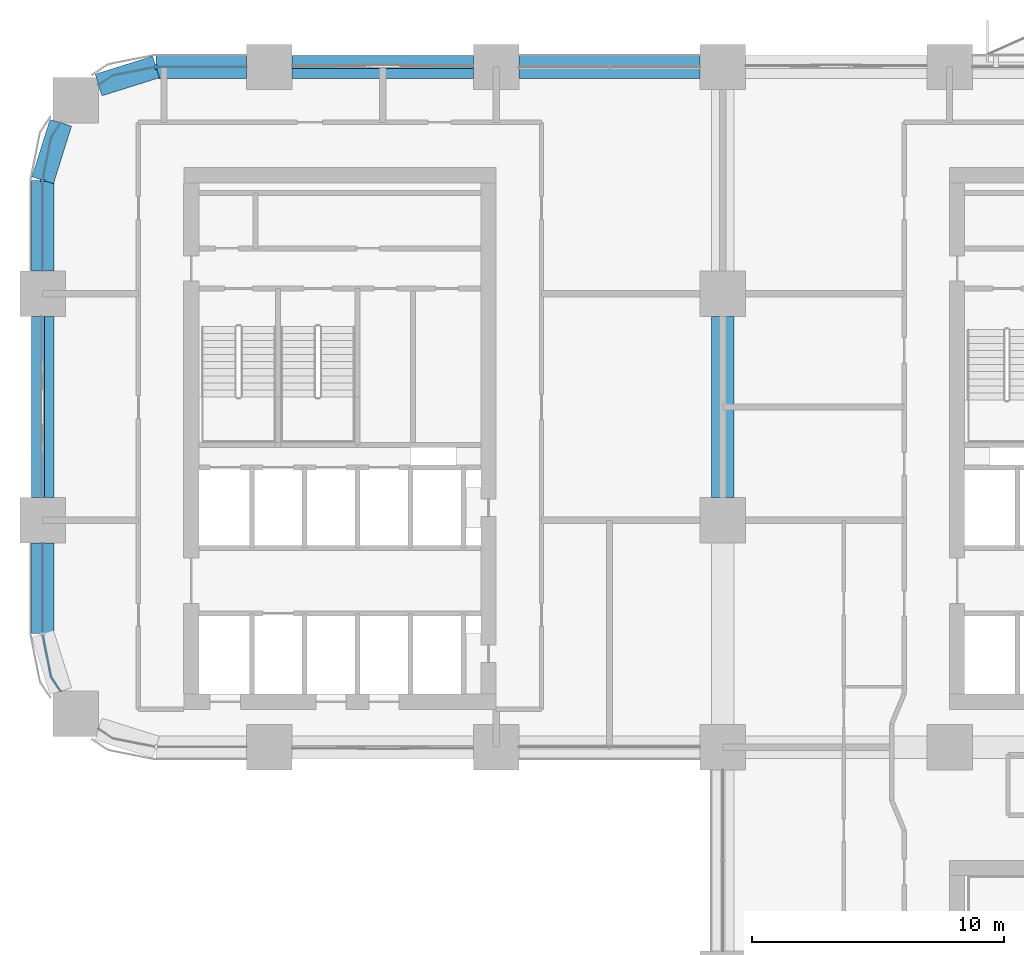
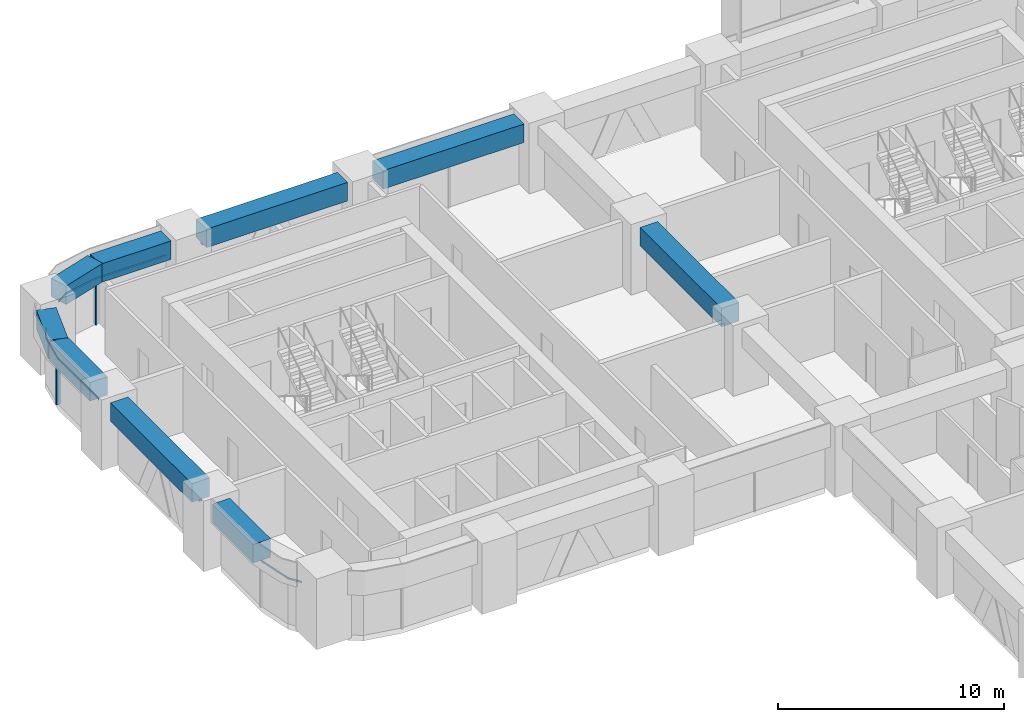
# One storey, part 6 of 26: 9 beams, 7 members, 5 elements without a shape of their own.
"""IFC4 building model written with IfcOpenShell, lengths in metres."""

from ifc_helpers import new_model, si_unit, direction, frame, origin, origin_2d, place, context, subcontext, project, spatial, polyline, rectangle, outline, extrude, material, material_profile, profile_set, type_object, element, aggregate, save


model = new_model("IFC4")

# Units and contexts
model_context = context("Model", 3, precision=1e-05, world=origin(), true_north=direction((0.0, 1.0)))
body_context = subcontext(model_context, "Body", "Model", "MODEL_VIEW")
ifc_project = project(units=[si_unit("LENGTHUNIT", "METRE"), si_unit("AREAUNIT", "SQUARE_METRE"), si_unit("VOLUMEUNIT", "CUBIC_METRE"), si_unit("PLANEANGLEUNIT", "RADIAN"), si_unit("MASSUNIT", "GRAM", prefix="KILO")], contexts=[model_context])

# Site, building, storey
site_placement = place(None, origin())
site = spatial("IfcSite", under=ifc_project, at=site_placement, CompositionType="ELEMENT")
building_placement = place(site_placement, origin())
building = spatial("IfcBuilding", under=site, at=building_placement, Name="Tessera Arch", CompositionType="ELEMENT")
storey_placement = place(building_placement, frame((0.0, 0.0, 96.800048828125)))
storey = spatial("IfcBuildingStorey", under=building, at=storey_placement, Name="L22", CompositionType="ELEMENT", Elevation=96.800048828125)

# Curtain wall, member
ifc_material_1 = material(Name="CW2 curtain wall")
curtain_wall_type_1 = type_object("IfcCurtainWallType", Name="CW2 curtain wall", PredefinedType="NOTDEFINED", material=ifc_material_1)
curtain_wall_1_placement = place(storey_placement, origin())
curtain_wall_1 = element("IfcCurtainWall", 1, at=curtain_wall_1_placement, inside=storey, type_object=curtain_wall_type_1, Name="CW2 curtain wall N54.0/4 L22", PredefinedType="NOTDEFINED")
ifc_material_2 = material(Name="Anodised aluminium pale metal", Category="aluminium")
ifc_material_profile_1 = material_profile(ifc_material_2, rectangle(XDim=0.199951171875, YDim=0.080078125, at=origin_2d()), Name="AL 80x200")
ifc_profile_set_1 = profile_set([ifc_material_profile_1], Name="Anodised aluminium pale metal")
member_type_1 = type_object("IfcMemberType", Name="CW2 mullion", PredefinedType="MULLION", material=ifc_profile_set_1)
member_1_placement = place(storey_placement, frame((4.5, 54.0, 0.0), z_axis=(0.0, 0.0, 1.0), x_axis=(0.0, -1.0, 0.0)))
member_1 = element("IfcMember", 2, at=member_1_placement, type_object=member_type_1, Name="CW2 mullion N54.0/4 1", PredefinedType="MULLION", context=body_context, shape_type="SweptSolid", body=[
    extrude(rectangle(XDim=0.199951171875, YDim=0.080078125, at=origin_2d()), origin(), (0.0, 0.0, 1.0), 2.39990234375),
])

curtain_wall_2_placement = place(storey_placement, origin())
curtain_wall_2 = element("IfcCurtainWall", 3, at=curtain_wall_2_placement, inside=storey, type_object=curtain_wall_type_1, Name="CW2 curtain wall W0.27/0 L22", PredefinedType="NOTDEFINED")
member_2_placement = place(storey_placement, frame((0.0, 49.5, 0.0), z_axis=(0.0, 0.0, 1.0), x_axis=(1.0, 0.0, 0.0)))
member_2 = element("IfcMember", 4, at=member_2_placement, type_object=member_type_1, Name="CW2 mullion W0.27/0 1", PredefinedType="MULLION", context=body_context, shape_type="SweptSolid", body=[
    extrude(rectangle(XDim=0.199951171875, YDim=0.080078125, at=origin_2d()), origin(), (0.0, 0.0, 1.0), 2.39990234375),
])

# Member
ifc_material_3 = material(Name="Anodised aluminium pale metal", Category="aluminium")
ifc_material_profile_2 = material_profile(ifc_material_3, rectangle(XDim=0.199951171875, YDim=0.10009765625, at=origin_2d()), Name="AL 200x100")
ifc_profile_set_2 = profile_set([ifc_material_profile_2], Name="Anodised aluminium pale metal")
member_type_2 = type_object("IfcMemberType", Name="CW2 transom", PredefinedType="USERDEFINED", material=ifc_profile_set_2)
member_3_placement = place(storey_placement, frame((0.0, 0.0, 2.39990234375)))
member_3 = element("IfcMember", 5, at=member_3_placement, type_object=member_type_2, Name="CW2 transom N54.0/4 1", ObjectType="TRANSOM", PredefinedType="USERDEFINED", context=body_context, shape_type="SweptSolid", body=[
    extrude(outline(polyline([(4.5009765625, 53.989990234375), (8.10009765625, 53.989990234375), (8.10009765625, 54.010009765625), (4.4990234375, 54.010009765625), (2.77392578125, 53.6669921875), (2.21240234375, 53.29150390625), (2.2236328125, 53.27490234375), (2.78173828125, 53.648193359375), (4.5009765625, 53.989990234375)])), origin(), (0.0, 0.0, 1.0), 0.10009765625),
])

aggregate(curtain_wall_1, [member_1, member_3])

member_4_placement = place(storey_placement, frame((0.0, 0.0, 2.39990234375)))
member_4 = element("IfcMember", 6, at=member_4_placement, type_object=member_type_2, Name="CW2 transom W0.27/0 1", ObjectType="TRANSOM", PredefinedType="USERDEFINED", context=body_context, shape_type="SweptSolid", body=[
    extrude(outline(polyline([(0.351806640625, 51.21826171875), (0.72509765625, 51.7763671875), (0.70849609375, 51.78759765625), (0.3330078125, 51.22607421875), (-0.010009765625, 49.5009765625), (-0.010009765625, 45.89990234375), (0.010009765625, 45.89990234375), (0.010009765625, 49.4990234375), (0.351806640625, 51.21826171875)])), origin(), (0.0, 0.0, 1.0), 0.10009765625),
])

aggregate(curtain_wall_2, [member_2, member_4])

# Curtain wall, member
curtain_wall_3_placement = place(storey_placement, origin())
curtain_wall_3 = element("IfcCurtainWall", 7, at=curtain_wall_3_placement, inside=storey, type_object=curtain_wall_type_1, Name="CW2 curtain wall W0.27/2 L22", PredefinedType="NOTDEFINED")
member_5_placement = place(storey_placement, frame((0.0, 0.0, 2.39990234375)))
member_5 = element("IfcMember", 8, at=member_5_placement, type_object=member_type_2, Name="CW2 transom W0.27/2 1", ObjectType="TRANSOM", PredefinedType="USERDEFINED", context=body_context, shape_type="SweptSolid", body=[
    extrude(outline(polyline([(0.010009765625, 31.5009765625), (0.010009765625, 35.10009765625), (-0.010009765625, 35.10009765625), (-0.010009765625, 31.4990234375), (0.3330078125, 29.77392578125), (0.70849609375, 29.21240234375), (0.72509765625, 29.2236328125), (0.351806640625, 29.78173828125), (0.010009765625, 31.5009765625)])), origin(), (0.0, 0.0, 1.0), 0.10009765625),
])
aggregate(curtain_wall_3, [member_5])

ifc_material_4 = material(Name="CW3 curtain wall")
curtain_wall_type_2 = type_object("IfcCurtainWallType", Name="CW3 curtain wall", PredefinedType="NOTDEFINED", material=ifc_material_4)
curtain_wall_4_placement = place(storey_placement, origin())
curtain_wall_4 = element("IfcCurtainWall", 9, at=curtain_wall_4_placement, inside=storey, type_object=curtain_wall_type_2, Name="CW3 curtain wall N54.0/3 L22", PredefinedType="NOTDEFINED")
ifc_material_5 = material(Name="Anodised aluminium pale metal", Category="aluminium")
ifc_material_profile_3 = material_profile(ifc_material_5, rectangle(XDim=0.139892578125, YDim=0.10009765625, at=origin_2d()), Name="AL 140x100")
ifc_profile_set_3 = profile_set([ifc_material_profile_3], Name="Anodised aluminium pale metal")
member_type_3 = type_object("IfcMemberType", Name="CW3 transom", PredefinedType="USERDEFINED", material=ifc_profile_set_3)
member_6_placement = place(storey_placement, frame((17.10009765625, 54.0, 2.449951171875), z_axis=(-1.0, 0.0, 0.0), x_axis=(0.0, -1.0, 0.0)))
member_6 = element("IfcMember", 10, at=member_6_placement, type_object=member_type_3, Name="CW3 transom N54.0/3 1.1", ObjectType="TRANSOM", PredefinedType="USERDEFINED", context=body_context, shape_type="SweptSolid", body=[
    extrude(rectangle(XDim=0.139892578125, YDim=0.10009765625, at=origin_2d()), origin(), (0.0, 0.0, 1.0), 7.2001953125),
])
aggregate(curtain_wall_4, [member_6])

curtain_wall_5_placement = place(storey_placement, origin())
curtain_wall_5 = element("IfcCurtainWall", 11, at=curtain_wall_5_placement, inside=storey, type_object=curtain_wall_type_2, Name="CW3 curtain wall W0.27/1 L22", PredefinedType="NOTDEFINED")
member_7_placement = place(storey_placement, frame((0.0, 44.10009765625, 2.449951171875), z_axis=(0.0, -1.0, 0.0), x_axis=(1.0, 0.0, 0.0)))
member_7 = element("IfcMember", 12, at=member_7_placement, type_object=member_type_3, Name="CW3 transom W0.27/1 1.1", ObjectType="TRANSOM", PredefinedType="USERDEFINED", context=body_context, shape_type="SweptSolid", body=[
    extrude(rectangle(XDim=0.139892578125, YDim=0.10009765625, at=origin_2d()), origin(), (0.0, 0.0, 1.0), 7.2001953125),
])
aggregate(curtain_wall_5, [member_7])

# Beams
ifc_material_6 = material(Name="Concrete C80/95", Category="concrete")
ifc_material_profile_4 = material_profile(ifc_material_6, rectangle(XDim=0.89990234375, YDim=1.0, at=origin_2d()), Name="RC spandrel beam 900 x 1000 Concrete C80/95")
ifc_profile_set_4 = profile_set([ifc_material_profile_4], Name="Concrete C80/95")
beam_type = type_object("IfcBeamType", Name="RC spandrel beam 900 x 1000 Concrete C80/95", PredefinedType="BEAM", material=ifc_profile_set_4)
for number, where, z_axis, x_axis, name in (
    (13, (26.10009765625, 54.0, 3.0), (-1.0, 0.0, 0.0), (0.0, -1.0, 0.0), "Spandrel beam L22 N54.0/2"),
    (14, (17.10009765625, 54.0, 3.0), (-1.0, 0.0, 0.0), (0.0, -1.0, 0.0), "Spandrel beam L22 N54.0/3"),
):
    element("IfcBeam", number, at=place(storey_placement, frame(where, z_axis=z_axis, x_axis=x_axis)), inside=storey, type_object=beam_type, Name=name, PredefinedType="BEAM", context=body_context, shape_type="SweptSolid", body=[
        extrude(rectangle(XDim=0.89990234375, YDim=1.0, at=origin_2d()), origin(), (0.0, 0.0, 1.0), 7.2001953125),
    ])
beam_1_placement = place(storey_placement, frame((8.10009765625, 54.0, 3.0), z_axis=(-1.0, 0.0, 0.0), x_axis=(0.0, -1.0, 0.0)))
element("IfcBeam", 15, at=beam_1_placement, inside=storey, type_object=beam_type, Name="Spandrel beam L22 N54.0/4.1", PredefinedType="BEAM", context=body_context, shape_type="SweptSolid", body=[
    extrude(rectangle(XDim=0.89990234375, YDim=1.0, at=origin_2d()), origin(), (0.0, 0.0, 1.0), 3.60009765625),
])
for number, where, z_axis, x_axis, name in (
    (16, (4.5, 54.0, 3.0), (-0.954041251279, -0.299675309057, 0.0), (0.299675309057, -0.954041251279, 0.0), "Spandrel beam L22 N54.0/4.2"),
    (17, (0.716796875, 51.781982421875, 3.0), (-0.299675309057, -0.954041251279, 0.0), (0.954041251279, -0.299675309057, 0.0), "Spandrel beam L22 W0.27/0.1"),
):
    element("IfcBeam", number, at=place(storey_placement, frame(where, z_axis=z_axis, x_axis=x_axis)), inside=storey, type_object=beam_type, Name=name, PredefinedType="BEAM", context=body_context, shape_type="SweptSolid", body=[
        extrude(rectangle(XDim=0.89990234375, YDim=1.0, at=origin_2d()), origin(), (0.0, 0.0, 1.0), 2.391845703125),
    ])
beam_2_placement = place(storey_placement, frame((0.0, 49.5, 3.0), z_axis=(0.0, -1.0, 0.0), x_axis=(1.0, 0.0, 0.0)))
element("IfcBeam", 18, at=beam_2_placement, inside=storey, type_object=beam_type, Name="Spandrel beam L22 W0.27/0.2", PredefinedType="BEAM", context=body_context, shape_type="SweptSolid", body=[
    extrude(rectangle(XDim=0.89990234375, YDim=1.0, at=origin_2d()), origin(), (0.0, 0.0, 1.0), 3.60009765625),
])
beam_3_placement = place(storey_placement, frame((0.0, 44.10009765625, 3.0), z_axis=(0.0, -1.0, 0.0), x_axis=(1.0, 0.0, 0.0)))
element("IfcBeam", 19, at=beam_3_placement, inside=storey, type_object=beam_type, Name="Spandrel beam L22 W0.27/1", PredefinedType="BEAM", context=body_context, shape_type="SweptSolid", body=[
    extrude(rectangle(XDim=0.89990234375, YDim=1.0, at=origin_2d()), origin(), (0.0, 0.0, 1.0), 7.2001953125),
])
beam_4_placement = place(storey_placement, frame((0.0, 35.10009765625, 3.0), z_axis=(0.0, -1.0, 0.0), x_axis=(1.0, 0.0, 0.0)))
element("IfcBeam", 20, at=beam_4_placement, inside=storey, type_object=beam_type, Name="Spandrel beam L22 W0.27/2.1", PredefinedType="BEAM", context=body_context, shape_type="SweptSolid", body=[
    extrude(rectangle(XDim=0.89990234375, YDim=1.0, at=origin_2d()), origin(), (0.0, 0.0, 1.0), 3.60009765625),
])
beam_5_placement = place(storey_placement, frame((27.0, 36.89990234375, 3.0), z_axis=(0.0, 1.0, 0.0), x_axis=(-1.0, 0.0, 0.0)))
element("IfcBeam", 21, at=beam_5_placement, inside=storey, type_object=beam_type, Name="Interface beam L22 I0C4E-C4F", PredefinedType="BEAM", context=body_context, shape_type="SweptSolid", body=[
    extrude(rectangle(XDim=0.89990234375, YDim=1.0, at=origin_2d()), origin(), (0.0, 0.0, 1.0), 7.2001953125),
])

save(model, "model.ifc")
